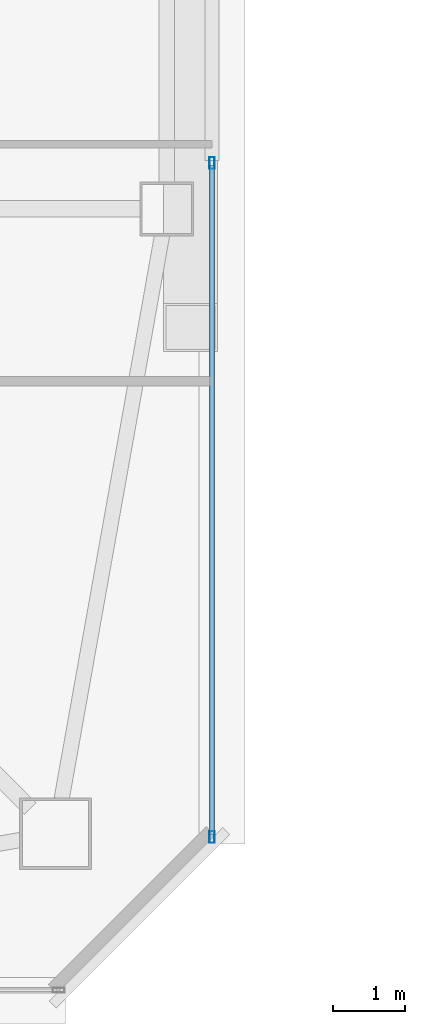
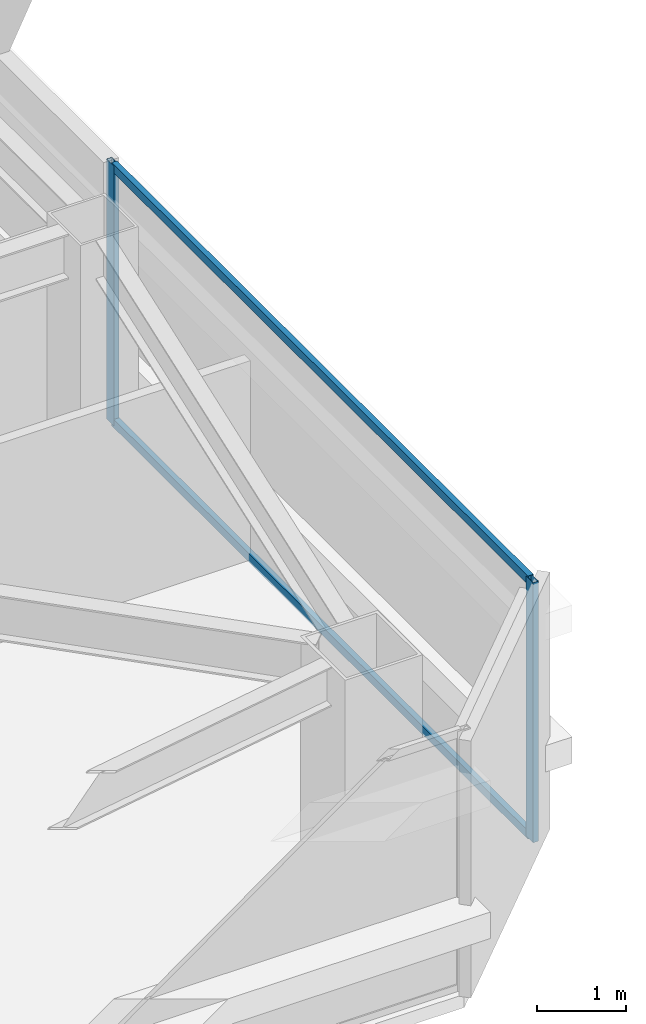
# One storey, part 11 of 47: 4 members, 1 element without a shape of its own.
"""IFC4 building model written with IfcOpenShell, lengths in metres."""

from ifc_helpers import new_model, si_unit, direction, frame, origin, origin_2d, place, context, subcontext, project, spatial, hollow_rectangle, extrude, material, material_profile, profile_set, type_object, element, aggregate, save


model = new_model("IFC4")

# Units and contexts
model_context = context("Model", 3, precision=1e-05, world=origin(), true_north=direction((0.0, 1.0)))
body_context = subcontext(model_context, "Body", "Model", "MODEL_VIEW")
ifc_project = project(units=[si_unit("LENGTHUNIT", "METRE"), si_unit("AREAUNIT", "SQUARE_METRE"), si_unit("VOLUMEUNIT", "CUBIC_METRE"), si_unit("PLANEANGLEUNIT", "RADIAN"), si_unit("MASSUNIT", "GRAM", prefix="KILO")], contexts=[model_context])

# Site, building, storey
site_placement = place(None, origin())
site = spatial("IfcSite", under=ifc_project, at=site_placement, CompositionType="ELEMENT")
building_placement = place(site_placement, origin())
building = spatial("IfcBuilding", under=site, at=building_placement, Name="Tashvorn Skyway Center", CompositionType="ELEMENT")
storey_placement = place(building_placement, frame((0.0, 0.0, 204.199951171875)))
storey = spatial("IfcBuildingStorey", under=building, at=storey_placement, Name="L55", CompositionType="ELEMENT", Elevation=204.199951171875)

# Curtain wall, members
ifc_material = material(Name="Thermally broken bronze-anodized aluminium 6063-T6", Category="aluminium")
curtain_wall_type = type_object("IfcCurtainWallType", Name="CW-CW-Z5", PredefinedType="NOTDEFINED", material=ifc_material)
curtain_wall_placement = place(storey_placement, origin())
curtain_wall = element("IfcCurtainWall", 1, at=curtain_wall_placement, inside=storey, type_object=curtain_wall_type, Name="Tower 1 L55 East Unitised Curtain Wall Glazing Group 2", PredefinedType="NOTDEFINED")
ifc_material_profile_1 = material_profile(ifc_material, hollow_rectangle(XDim=0.070068359375, YDim=0.1650390625, WallThickness=0.00390625, at=origin_2d()), Name="ALU-MULL-70x165")
ifc_profile_set_1 = profile_set([ifc_material_profile_1], Name="Thermally broken bronze-anodized aluminium 6063-T6")
member_type_1 = type_object("IfcMemberType", Name="CWM-CW-Z5", PredefinedType="MULLION", material=ifc_profile_set_1)
member_1_placement = place(storey_placement, frame((58.280029296875, 27.23828125, 0.0), z_axis=(0.0, 0.0, 1.0), x_axis=(1.0, 0.0, 0.0)))
member_1 = element("IfcMember", 2, at=member_1_placement, type_object=member_type_1, Name="CW-Z5 mullion 1", PredefinedType="MULLION", context=body_context, shape_type="SweptSolid", body=[
    extrude(hollow_rectangle(XDim=0.070068359375, YDim=0.1650390625, WallThickness=0.00390625, at=origin_2d()), origin(), (0.0, 0.0, 1.0), 3.550048828125),
])
member_2_placement = place(storey_placement, frame((58.280029296875, 17.85498046875, 0.0), z_axis=(0.0, 0.0, 1.0), x_axis=(1.0, 0.0, 0.0)))
member_2 = element("IfcMember", 3, at=member_2_placement, type_object=member_type_1, Name="CW-Z5 mullion 2", PredefinedType="MULLION", context=body_context, shape_type="SweptSolid", body=[
    extrude(hollow_rectangle(XDim=0.070068359375, YDim=0.1650390625, WallThickness=0.00390625, at=origin_2d()), origin(), (0.0, 0.0, 1.0), 3.550048828125),
])
ifc_material_profile_2 = material_profile(ifc_material, hollow_rectangle(XDim=0.070068359375, YDim=0.114990234375, WallThickness=0.00390625, at=origin_2d()), Name="ALU-TRAN-70x115")
ifc_profile_set_2 = profile_set([ifc_material_profile_2], Name="Thermally broken bronze-anodized aluminium 6063-T6")
member_type_2 = type_object("IfcMemberType", Name="CWT-CW-Z5", PredefinedType="USERDEFINED", material=ifc_profile_set_2)
member_3_placement = place(storey_placement, frame((58.280029296875, 27.203369140625, 0.03515625), z_axis=(0.0, -1.0, 0.0), x_axis=(1.0, 0.0, 0.0)))
member_3 = element("IfcMember", 4, at=member_3_placement, type_object=member_type_2, Name="CW-Z5 transom 1.1", ObjectType="TRANSOM", PredefinedType="USERDEFINED", context=body_context, shape_type="SweptSolid", body=[
    extrude(hollow_rectangle(XDim=0.070068359375, YDim=0.114990234375, WallThickness=0.00390625, at=origin_2d()), origin(), (0.0, 0.0, 1.0), 9.3134765625),
])
member_4_placement = place(storey_placement, frame((58.280029296875, 27.203369140625, 3.51513671875), z_axis=(0.0, -1.0, 0.0), x_axis=(1.0, 0.0, 0.0)))
member_4 = element("IfcMember", 5, at=member_4_placement, type_object=member_type_2, Name="CW-Z5 transom 1.2", ObjectType="TRANSOM", PredefinedType="USERDEFINED", context=body_context, shape_type="SweptSolid", body=[
    extrude(hollow_rectangle(XDim=0.070068359375, YDim=0.114990234375, WallThickness=0.00390625, at=origin_2d()), origin(), (0.0, 0.0, 1.0), 9.3134765625),
])
aggregate(curtain_wall, [member_1, member_2, member_3, member_4])

save(model, "model.ifc")
